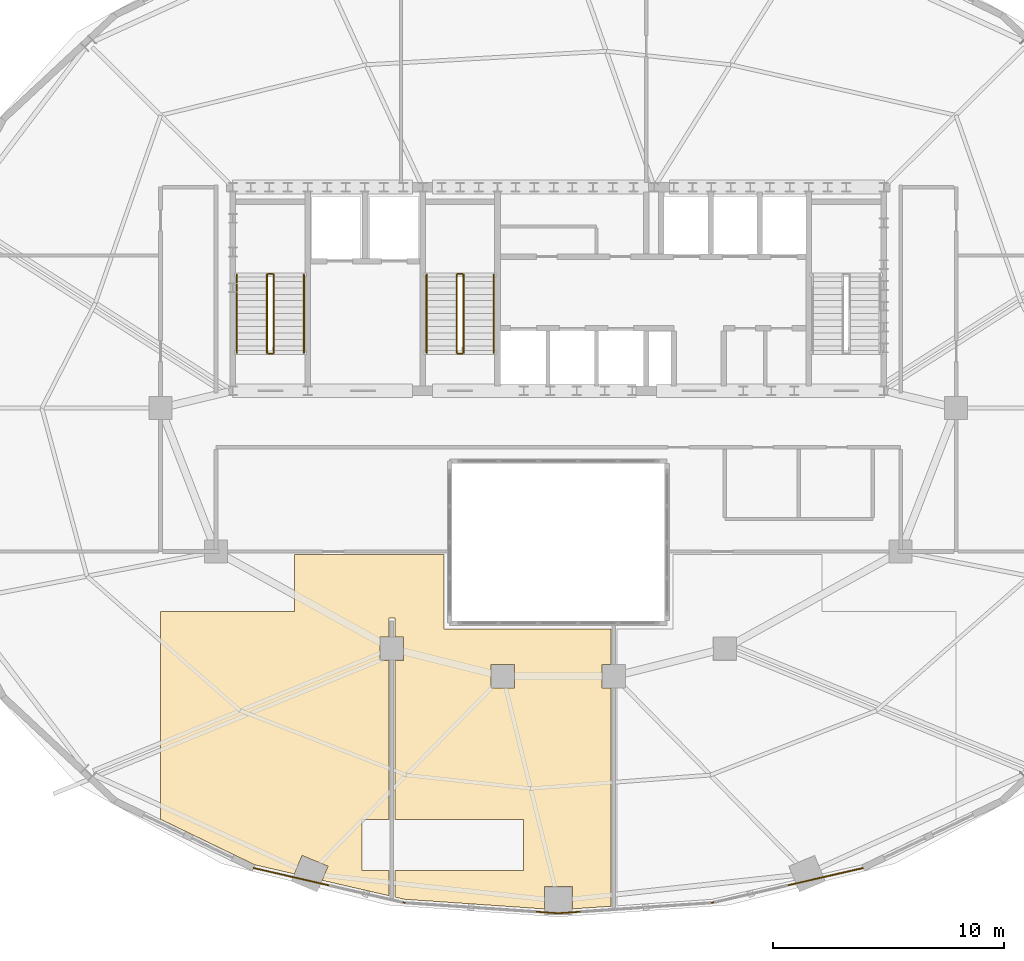
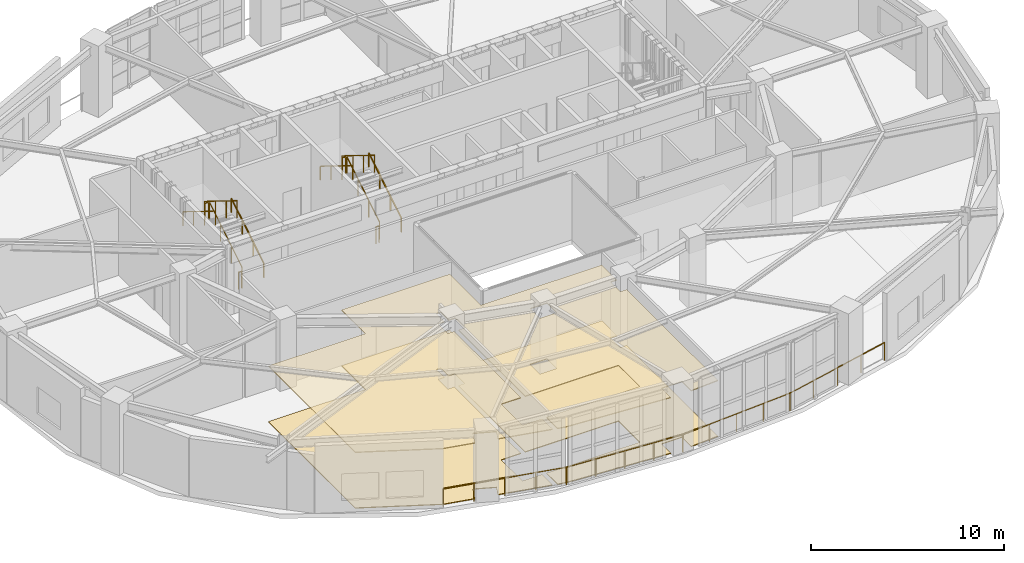
# One storey, part 14 of 16: 16 railings, 2 coverings.
"""IFC4 building model written with IfcOpenShell, lengths in metres."""

from ifc_helpers import new_model, si_unit, direction, frame, origin, origin_2d, place, context, subcontext, project, spatial, polyline, rectangle, outline, extrude, material, layer, layer_set, type_object, element, save


model = new_model("IFC4")

# Units and contexts
model_context = context("Model", 3, precision=1e-05, world=origin(), true_north=direction((0.0, 1.0)))
body_context = subcontext(model_context, "Body", "Model", "MODEL_VIEW")
ifc_project = project(units=[si_unit("LENGTHUNIT", "METRE"), si_unit("AREAUNIT", "SQUARE_METRE"), si_unit("VOLUMEUNIT", "CUBIC_METRE"), si_unit("PLANEANGLEUNIT", "RADIAN"), si_unit("MASSUNIT", "GRAM", prefix="KILO")], contexts=[model_context])

# Site, building, storey
site_placement = place(None, origin())
site = spatial("IfcSite", under=ifc_project, at=site_placement, CompositionType="ELEMENT")
building_placement = place(site_placement, origin())
building = spatial("IfcBuilding", under=site, at=building_placement, Name="Haldorwick Loom Tower", CompositionType="ELEMENT")
storey_placement = place(building_placement, frame((0.0, 0.0, 200.35009765625)))
storey = spatial("IfcBuildingStorey", under=building, at=storey_placement, Name="L54", CompositionType="ELEMENT", Elevation=200.35009765625)

# Coverings
ifc_material_1 = material(Name="Mineral Fibre Acoustic Ceiling Tile")
ifc_layer_1 = layer(ifc_material_1, 0.054931640625, Name="Mineral Fibre Acoustic Ceiling Tile")
ifc_layer_set_1 = layer_set([ifc_layer_1], Name="Mineral Fibre Acoustic Ceiling Tile")
covering_type_1 = type_object("IfcCoveringType", Name="ARC-COV-CEIL2", PredefinedType="CEILING", material=ifc_layer_set_1)
covering_1_placement = place(storey_placement, frame((0.0, 0.0, 3.5087890625)))
element("IfcCovering", 1, at=covering_1_placement, inside=storey, type_object=covering_type_1, Name="L54 Acoustic Suspended Ceiling 1", PredefinedType="CEILING", context=body_context, shape_type="SweptSolid", body=[
    extrude(outline(polyline([(38.27001953125, 4.456298828125), (38.27001953125, 13.89208984375), (37.89208984375, 13.89208984375), (37.89208984375, 14.907958984375), (38.27001953125, 14.907958984375), (38.27001953125, 16.449951171875), (31.050048828125, 16.449951171875), (31.050048828125, 19.669921875), (24.60009765625, 19.669921875), (24.60009765625, 17.199951171875), (18.800048828125, 17.199951171875), (18.800048828125, 8.217041015625), (22.876953125, 6.246826171875), (24.586181640625, 5.853759765625), (24.91748046875, 6.65380859375), (26.041015625, 6.1884765625), (25.787841796875, 5.577392578125), (28.669921875, 4.914306640625), (28.669921875, 6.0), (27.5, 6.0), (27.5, 8.199951171875), (28.669921875, 8.199951171875), (28.669921875, 15.092041015625), (28.2919921875, 15.092041015625), (28.2919921875, 16.10791015625), (28.669921875, 16.10791015625), (28.669921875, 16.909912109375), (28.670166015625, 16.912109375), (28.67041015625, 16.913818359375), (28.6708984375, 16.915771484375), (28.67138671875, 16.917724609375), (28.67236328125, 16.91943359375), (28.67333984375, 16.921142578125), (28.674560546875, 16.922607421875), (28.67578125, 16.924072265625), (28.67724609375, 16.925537109375), (28.678955078125, 16.926513671875), (28.6806640625, 16.927490234375), (28.682373046875, 16.928466796875), (28.68408203125, 16.92919921875), (28.68603515625, 16.9296875), (28.68798828125, 16.929931640625), (28.68994140625, 16.929931640625), (28.909912109375, 16.929931640625), (28.912109375, 16.929931640625), (28.913818359375, 16.9296875), (28.915771484375, 16.92919921875), (28.917724609375, 16.928466796875), (28.91943359375, 16.927490234375), (28.921142578125, 16.926513671875), (28.922607421875, 16.925537109375), (28.924072265625, 16.924072265625), (28.925537109375, 16.922607421875), (28.926513671875, 16.921142578125), (28.927490234375, 16.91943359375), (28.928466796875, 16.917724609375), (28.92919921875, 16.915771484375), (28.9296875, 16.913818359375), (28.929931640625, 16.912109375), (28.929931640625, 16.909912109375), (28.929931640625, 16.10791015625), (29.30810546875, 16.10791015625), (29.30810546875, 15.092041015625), (28.929931640625, 15.092041015625), (28.929931640625, 8.199951171875), (34.5, 8.199951171875), (34.5, 6.0), (28.929931640625, 6.0), (28.929931640625, 4.8544921875), (29.35595703125, 4.756591796875), (35.39208984375, 4.342041015625), (35.39208984375, 5.302978515625), (36.60791015625, 5.302978515625), (36.60791015625, 4.342041015625), (38.27001953125, 4.456298828125)]), holes=[polyline([(34.10791015625, 14.907958984375), (34.10791015625, 13.89208984375), (33.092041015625, 13.89208984375), (33.092041015625, 14.907958984375), (34.10791015625, 14.907958984375)])]), origin(), (0.0, 0.0, 1.0), 0.05517578125),
])
ifc_material_2 = material(Name="Polished Aggregate Terrazzo Finish")
ifc_layer_2 = layer(ifc_material_2, 0.044921875, Name="Polished Aggregate Terrazzo Finish")
ifc_layer_set_2 = layer_set([ifc_layer_2], Name="Polished Aggregate Terrazzo Finish")
covering_type_2 = type_object("IfcCoveringType", Name="ARC-COV-FLOOR2", PredefinedType="FLOORING", material=ifc_layer_set_2)
covering_2_placement = place(storey_placement, origin())
element("IfcCovering", 2, at=covering_2_placement, inside=storey, type_object=covering_type_2, Name="L54 Floor Finish 1", PredefinedType="FLOORING", context=body_context, shape_type="SweptSolid", body=[
    extrude(outline(polyline([(38.27001953125, 4.456298828125), (38.27001953125, 13.89208984375), (37.89208984375, 13.89208984375), (37.89208984375, 14.907958984375), (38.27001953125, 14.907958984375), (38.27001953125, 16.449951171875), (31.050048828125, 16.449951171875), (31.050048828125, 19.669921875), (24.60009765625, 19.669921875), (24.60009765625, 17.199951171875), (18.800048828125, 17.199951171875), (18.800048828125, 8.217041015625), (22.876953125, 6.246826171875), (24.586181640625, 5.853759765625), (24.91748046875, 6.65380859375), (26.041015625, 6.1884765625), (25.787841796875, 5.577392578125), (28.669921875, 4.914306640625), (28.669921875, 6.0), (27.5, 6.0), (27.5, 8.199951171875), (28.669921875, 8.199951171875), (28.669921875, 15.092041015625), (28.2919921875, 15.092041015625), (28.2919921875, 16.10791015625), (28.669921875, 16.10791015625), (28.669921875, 16.909912109375), (28.670166015625, 16.912109375), (28.67041015625, 16.913818359375), (28.6708984375, 16.915771484375), (28.67138671875, 16.917724609375), (28.67236328125, 16.91943359375), (28.67333984375, 16.921142578125), (28.674560546875, 16.922607421875), (28.67578125, 16.924072265625), (28.67724609375, 16.925537109375), (28.678955078125, 16.926513671875), (28.6806640625, 16.927490234375), (28.682373046875, 16.928466796875), (28.68408203125, 16.92919921875), (28.68603515625, 16.9296875), (28.68798828125, 16.929931640625), (28.68994140625, 16.929931640625), (28.909912109375, 16.929931640625), (28.912109375, 16.929931640625), (28.913818359375, 16.9296875), (28.915771484375, 16.92919921875), (28.917724609375, 16.928466796875), (28.91943359375, 16.927490234375), (28.921142578125, 16.926513671875), (28.922607421875, 16.925537109375), (28.924072265625, 16.924072265625), (28.925537109375, 16.922607421875), (28.926513671875, 16.921142578125), (28.927490234375, 16.91943359375), (28.928466796875, 16.917724609375), (28.92919921875, 16.915771484375), (28.9296875, 16.913818359375), (28.929931640625, 16.912109375), (28.929931640625, 16.909912109375), (28.929931640625, 16.10791015625), (29.30810546875, 16.10791015625), (29.30810546875, 15.092041015625), (28.929931640625, 15.092041015625), (28.929931640625, 8.199951171875), (34.5, 8.199951171875), (34.5, 6.0), (28.929931640625, 6.0), (28.929931640625, 4.8544921875), (29.35595703125, 4.756591796875), (35.39208984375, 4.342041015625), (35.39208984375, 5.302978515625), (36.60791015625, 5.302978515625), (36.60791015625, 4.342041015625), (38.27001953125, 4.456298828125)]), holes=[polyline([(34.10791015625, 14.907958984375), (34.10791015625, 13.89208984375), (33.092041015625, 13.89208984375), (33.092041015625, 14.907958984375), (34.10791015625, 14.907958984375)])]), origin(), (0.0, 0.0, 1.0), 0.044921875),
])

# Railings
ifc_material_3 = material(Name="Galvanized Steel CSA G40.21 350W", Category="steel")
railing_type_1 = type_object("IfcRailingType", Name="ARC-RLG-BAL115", PredefinedType="BALUSTRADE", material=ifc_material_3)
railing_1_placement = place(storey_placement, frame((22.82861328125, 6.109130859375, 0.0)))
element("IfcRailing", 3, at=railing_1_placement, inside=storey, type_object=railing_type_1, Name="L54 Curtain-Wall Sill Safety Guardrail 17", PredefinedType="BALUSTRADE", context=body_context, shape_type="SweptSolid", body=[
    extrude(rectangle(XDim=0.048095703125, YDim=0.048095703125, at=origin_2d()), frame((0.0, 0.0, 1.1259765625), z_axis=(0.974557343474, -0.224138315065, 0.0), x_axis=(0.224138315065, 0.974557343474, 0.0)), (0.0, 0.0, 1.0), 6.676025390625),
    extrude(rectangle(XDim=0.0419921875, YDim=0.0419921875, at=origin_2d()), origin(), (0.0, 0.0, 1.0), 1.101806640625),
    extrude(rectangle(XDim=0.0419921875, YDim=0.0419921875, at=origin_2d()), frame((1.62646484375, -0.3740234375, 0.0)), (0.0, 0.0, 1.0), 1.101806640625),
    extrude(rectangle(XDim=0.0419921875, YDim=0.0419921875, at=origin_2d()), frame((3.2529296875, -0.748046875, 0.0)), (0.0, 0.0, 1.0), 1.101806640625),
    extrude(rectangle(XDim=0.0419921875, YDim=0.0419921875, at=origin_2d()), frame((4.879638671875, -1.122314453125, 0.0)), (0.0, 0.0, 1.0), 1.101806640625),
    extrude(rectangle(XDim=0.0419921875, YDim=0.0419921875, at=origin_2d()), frame((6.506103515625, -1.496337890625, 0.0)), (0.0, 0.0, 1.0), 1.101806640625),
])
railing_2_placement = place(storey_placement, frame((29.334716796875, 4.61279296875, 0.0)))
element("IfcRailing", 4, at=railing_2_placement, inside=storey, type_object=railing_type_1, Name="L54 Curtain-Wall Sill Safety Guardrail 18", PredefinedType="BALUSTRADE", context=body_context, shape_type="SweptSolid", body=[
    extrude(rectangle(XDim=0.048095703125, YDim=0.048095703125, at=origin_2d()), frame((0.0, 0.0, 1.1259765625), z_axis=(0.99764992135, -0.068517402386, 0.0), x_axis=(0.068517402386, 0.99764992135, 0.0)), (0.0, 0.0, 1.0), 6.680908203125),
    extrude(rectangle(XDim=0.0419921875, YDim=0.0419921875, at=origin_2d()), origin(), (0.0, 0.0, 1.0), 1.101806640625),
    extrude(rectangle(XDim=0.0419921875, YDim=0.0419921875, at=origin_2d()), frame((1.666259765625, -0.114501953125, 0.0)), (0.0, 0.0, 1.0), 1.101806640625),
    extrude(rectangle(XDim=0.0419921875, YDim=0.0419921875, at=origin_2d()), frame((3.33251953125, -0.22900390625, 0.0)), (0.0, 0.0, 1.0), 1.101806640625),
    extrude(rectangle(XDim=0.0419921875, YDim=0.0419921875, at=origin_2d()), frame((4.9990234375, -0.34326171875, 0.0)), (0.0, 0.0, 1.0), 1.101806640625),
    extrude(rectangle(XDim=0.0419921875, YDim=0.0419921875, at=origin_2d()), frame((6.665283203125, -0.457763671875, 0.0)), (0.0, 0.0, 1.0), 1.101806640625),
])
railing_3_placement = place(storey_placement, frame((36.0, 4.155029296875, 0.0)))
element("IfcRailing", 5, at=railing_3_placement, inside=storey, type_object=railing_type_1, Name="L54 Curtain-Wall Sill Safety Guardrail 19", PredefinedType="BALUSTRADE", context=body_context, shape_type="SweptSolid", body=[
    extrude(rectangle(XDim=0.048095703125, YDim=0.048095703125, at=origin_2d()), frame((0.0, 0.0, 1.1259765625), z_axis=(0.99764992135, 0.068517402386, 0.0), x_axis=(-0.068517402386, 0.99764992135, 0.0)), (0.0, 0.0, 1.0), 6.680908203125),
    extrude(rectangle(XDim=0.0419921875, YDim=0.0419921875, at=origin_2d()), origin(), (0.0, 0.0, 1.0), 1.101806640625),
    extrude(rectangle(XDim=0.0419921875, YDim=0.0419921875, at=origin_2d()), frame((1.666259765625, 0.114501953125, 0.0)), (0.0, 0.0, 1.0), 1.101806640625),
    extrude(rectangle(XDim=0.0419921875, YDim=0.0419921875, at=origin_2d()), frame((3.33251953125, 0.22900390625, 0.0)), (0.0, 0.0, 1.0), 1.101806640625),
    extrude(rectangle(XDim=0.0419921875, YDim=0.0419921875, at=origin_2d()), frame((4.9990234375, 0.34326171875, 0.0)), (0.0, 0.0, 1.0), 1.101806640625),
    extrude(rectangle(XDim=0.0419921875, YDim=0.0419921875, at=origin_2d()), frame((6.665283203125, 0.457763671875, 0.0)), (0.0, 0.0, 1.0), 1.101806640625),
])
railing_4_placement = place(storey_placement, frame((42.665283203125, 4.61279296875, 0.0)))
element("IfcRailing", 6, at=railing_4_placement, inside=storey, type_object=railing_type_1, Name="L54 Curtain-Wall Sill Safety Guardrail 20", PredefinedType="BALUSTRADE", context=body_context, shape_type="SweptSolid", body=[
    extrude(rectangle(XDim=0.048095703125, YDim=0.048095703125, at=origin_2d()), frame((0.0, 0.0, 1.1259765625), z_axis=(0.974557343474, 0.224138315065, 0.0), x_axis=(-0.224138315065, 0.974557343474, 0.0)), (0.0, 0.0, 1.0), 6.676025390625),
    extrude(rectangle(XDim=0.0419921875, YDim=0.0419921875, at=origin_2d()), origin(), (0.0, 0.0, 1.0), 1.101806640625),
    extrude(rectangle(XDim=0.0419921875, YDim=0.0419921875, at=origin_2d()), frame((1.62646484375, 0.3740234375, 0.0)), (0.0, 0.0, 1.0), 1.101806640625),
    extrude(rectangle(XDim=0.0419921875, YDim=0.0419921875, at=origin_2d()), frame((3.2529296875, 0.748046875, 0.0)), (0.0, 0.0, 1.0), 1.101806640625),
    extrude(rectangle(XDim=0.0419921875, YDim=0.0419921875, at=origin_2d()), frame((4.879638671875, 1.122314453125, 0.0)), (0.0, 0.0, 1.0), 1.101806640625),
    extrude(rectangle(XDim=0.0419921875, YDim=0.0419921875, at=origin_2d()), frame((6.506103515625, 1.496337890625, 0.0)), (0.0, 0.0, 1.0), 1.101806640625),
])
ifc_material_4 = material(Name="Steel CSA G40.21 350W", Category="steel")
railing_type_2 = type_object("IfcRailingType", Name="ARC-RLG-GUARD112", PredefinedType="GUARDRAIL", material=ifc_material_4)
railing_5_placement = place(storey_placement, frame((23.699951171875, 28.39990234375, 0.173095703125)))
element("IfcRailing", 7, at=railing_5_placement, inside=storey, type_object=railing_type_2, Name="L54 ST-01 stair guard 1", PredefinedType="GUARDRAIL", context=body_context, shape_type="SweptSolid", body=[
    extrude(rectangle(XDim=0.048095703125, YDim=0.048095703125, at=origin_2d()), frame((0.0, 0.0, 1.076171875), z_axis=(0.0, 0.850623216509, 0.525775754039), x_axis=(-1.0, 0.0, 0.0)), (0.0, 0.0, 1.0), 3.9501953125),
    extrude(rectangle(XDim=0.0419921875, YDim=0.0419921875, at=origin_2d()), origin(), (0.0, 0.0, 1.0), 1.052001953125),
    extrude(rectangle(XDim=0.0419921875, YDim=0.0419921875, at=origin_2d()), frame((0.0, 1.1201171875, 0.6923828125)), (0.0, 0.0, 1.0), 1.052001953125),
    extrude(rectangle(XDim=0.0419921875, YDim=0.0419921875, at=origin_2d()), frame((0.0, 2.239990234375, 1.384521484375)), (0.0, 0.0, 1.0), 1.052001953125),
    extrude(rectangle(XDim=0.0419921875, YDim=0.0419921875, at=origin_2d()), frame((0.0, 3.360107421875, 2.076904296875)), (0.0, 0.0, 1.0), 1.052001953125),
])
railing_6_placement = place(storey_placement, frame((23.64990234375, 31.81005859375, 2.25)))
element("IfcRailing", 8, at=railing_6_placement, inside=storey, type_object=railing_type_2, Name="L54 ST-01 stair guard 2", PredefinedType="GUARDRAIL", context=body_context, shape_type="SweptSolid", body=[
    extrude(rectangle(XDim=0.048095703125, YDim=0.048095703125, at=origin_2d()), frame((0.0, 0.0, 1.076171875), z_axis=(-1.0, 0.0, 0.0), x_axis=(0.0, -1.0, 0.0)), (0.0, 0.0, 1.0), 0.199951171875),
    extrude(rectangle(XDim=0.0419921875, YDim=0.0419921875, at=origin_2d()), origin(), (0.0, 0.0, 1.0), 1.052001953125),
    extrude(rectangle(XDim=0.0419921875, YDim=0.0419921875, at=origin_2d()), frame((-0.199951171875, 0.0, 0.0)), (0.0, 0.0, 1.0), 1.052001953125),
])
railing_7_placement = place(storey_placement, frame((23.39990234375, 31.760009765625, 2.423095703125)))
element("IfcRailing", 9, at=railing_7_placement, inside=storey, type_object=railing_type_2, Name="L54 ST-01 stair guard 3", PredefinedType="GUARDRAIL", context=body_context, shape_type="SweptSolid", body=[
    extrude(rectangle(XDim=0.048095703125, YDim=0.048095703125, at=origin_2d()), frame((0.0, 0.0, 1.076171875), z_axis=(0.0, -0.850623216509, 0.525775754039), x_axis=(1.0, 0.0, 0.0)), (0.0, 0.0, 1.0), 3.9501953125),
    extrude(rectangle(XDim=0.0419921875, YDim=0.0419921875, at=origin_2d()), origin(), (0.0, 0.0, 1.0), 1.052001953125),
    extrude(rectangle(XDim=0.0419921875, YDim=0.0419921875, at=origin_2d()), frame((0.0, -1.1201171875, 0.6923828125)), (0.0, 0.0, 1.0), 1.052001953125),
    extrude(rectangle(XDim=0.0419921875, YDim=0.0419921875, at=origin_2d()), frame((0.0, -2.239990234375, 1.384521484375)), (0.0, 0.0, 1.0), 1.052001953125),
    extrude(rectangle(XDim=0.0419921875, YDim=0.0419921875, at=origin_2d()), frame((0.0, -3.360107421875, 2.076904296875)), (0.0, 0.0, 1.0), 1.052001953125),
])
railing_8_placement = place(storey_placement, frame((23.64990234375, 28.35009765625, 0.0)))
element("IfcRailing", 10, at=railing_8_placement, inside=storey, type_object=railing_type_2, Name="L54 ST-01 stair guard 4", PredefinedType="GUARDRAIL", context=body_context, shape_type="SweptSolid", body=[
    extrude(rectangle(XDim=0.048095703125, YDim=0.048095703125, at=origin_2d()), frame((0.0, 0.0, 1.076171875), z_axis=(-1.0, 0.0, 0.0), x_axis=(0.0, -1.0, 0.0)), (0.0, 0.0, 1.0), 0.199951171875),
    extrude(rectangle(XDim=0.0419921875, YDim=0.0419921875, at=origin_2d()), origin(), (0.0, 0.0, 1.0), 1.052001953125),
    extrude(rectangle(XDim=0.0419921875, YDim=0.0419921875, at=origin_2d()), frame((-0.199951171875, 0.0, 0.0)), (0.0, 0.0, 1.0), 1.052001953125),
])
railing_9_placement = place(storey_placement, frame((31.89990234375, 28.39990234375, 0.173095703125)))
element("IfcRailing", 11, at=railing_9_placement, inside=storey, type_object=railing_type_2, Name="L54 ST-03 stair guard 1", PredefinedType="GUARDRAIL", context=body_context, shape_type="SweptSolid", body=[
    extrude(rectangle(XDim=0.048095703125, YDim=0.048095703125, at=origin_2d()), frame((0.0, 0.0, 1.076171875), z_axis=(0.0, 0.850623216509, 0.525775754039), x_axis=(-1.0, 0.0, 0.0)), (0.0, 0.0, 1.0), 3.9501953125),
    extrude(rectangle(XDim=0.0419921875, YDim=0.0419921875, at=origin_2d()), origin(), (0.0, 0.0, 1.0), 1.052001953125),
    extrude(rectangle(XDim=0.0419921875, YDim=0.0419921875, at=origin_2d()), frame((0.0, 1.1201171875, 0.6923828125)), (0.0, 0.0, 1.0), 1.052001953125),
    extrude(rectangle(XDim=0.0419921875, YDim=0.0419921875, at=origin_2d()), frame((0.0, 2.239990234375, 1.384521484375)), (0.0, 0.0, 1.0), 1.052001953125),
    extrude(rectangle(XDim=0.0419921875, YDim=0.0419921875, at=origin_2d()), frame((0.0, 3.360107421875, 2.076904296875)), (0.0, 0.0, 1.0), 1.052001953125),
])
railing_10_placement = place(storey_placement, frame((31.85009765625, 31.81005859375, 2.25)))
element("IfcRailing", 12, at=railing_10_placement, inside=storey, type_object=railing_type_2, Name="L54 ST-03 stair guard 2", PredefinedType="GUARDRAIL", context=body_context, shape_type="SweptSolid", body=[
    extrude(rectangle(XDim=0.048095703125, YDim=0.048095703125, at=origin_2d()), frame((0.0, 0.0, 1.076171875), z_axis=(-1.0, 0.0, 0.0), x_axis=(0.0, -1.0, 0.0)), (0.0, 0.0, 1.0), 0.2001953125),
    extrude(rectangle(XDim=0.0419921875, YDim=0.0419921875, at=origin_2d()), origin(), (0.0, 0.0, 1.0), 1.052001953125),
    extrude(rectangle(XDim=0.0419921875, YDim=0.0419921875, at=origin_2d()), frame((-0.2001953125, 0.0, 0.0)), (0.0, 0.0, 1.0), 1.052001953125),
])
railing_11_placement = place(storey_placement, frame((31.60009765625, 31.760009765625, 2.423095703125)))
element("IfcRailing", 13, at=railing_11_placement, inside=storey, type_object=railing_type_2, Name="L54 ST-03 stair guard 3", PredefinedType="GUARDRAIL", context=body_context, shape_type="SweptSolid", body=[
    extrude(rectangle(XDim=0.048095703125, YDim=0.048095703125, at=origin_2d()), frame((0.0, 0.0, 1.076171875), z_axis=(0.0, -0.850623216509, 0.525775754039), x_axis=(1.0, 0.0, 0.0)), (0.0, 0.0, 1.0), 3.9501953125),
    extrude(rectangle(XDim=0.0419921875, YDim=0.0419921875, at=origin_2d()), origin(), (0.0, 0.0, 1.0), 1.052001953125),
    extrude(rectangle(XDim=0.0419921875, YDim=0.0419921875, at=origin_2d()), frame((0.0, -1.1201171875, 0.6923828125)), (0.0, 0.0, 1.0), 1.052001953125),
    extrude(rectangle(XDim=0.0419921875, YDim=0.0419921875, at=origin_2d()), frame((0.0, -2.239990234375, 1.384521484375)), (0.0, 0.0, 1.0), 1.052001953125),
    extrude(rectangle(XDim=0.0419921875, YDim=0.0419921875, at=origin_2d()), frame((0.0, -3.360107421875, 2.076904296875)), (0.0, 0.0, 1.0), 1.052001953125),
])
railing_12_placement = place(storey_placement, frame((31.85009765625, 28.35009765625, 0.0)))
element("IfcRailing", 14, at=railing_12_placement, inside=storey, type_object=railing_type_2, Name="L54 ST-03 stair guard 4", PredefinedType="GUARDRAIL", context=body_context, shape_type="SweptSolid", body=[
    extrude(rectangle(XDim=0.048095703125, YDim=0.048095703125, at=origin_2d()), frame((0.0, 0.0, 1.076171875), z_axis=(-1.0, 0.0, 0.0), x_axis=(0.0, -1.0, 0.0)), (0.0, 0.0, 1.0), 0.2001953125),
    extrude(rectangle(XDim=0.0419921875, YDim=0.0419921875, at=origin_2d()), origin(), (0.0, 0.0, 1.0), 1.052001953125),
    extrude(rectangle(XDim=0.0419921875, YDim=0.0419921875, at=origin_2d()), frame((-0.2001953125, 0.0, 0.0)), (0.0, 0.0, 1.0), 1.052001953125),
])
railing_type_3 = type_object("IfcRailingType", Name="ARC-RLG-HAND092", PredefinedType="HANDRAIL", material=ifc_material_4)
railing_13_placement = place(storey_placement, frame((25.0, 28.39990234375, 0.173095703125)))
element("IfcRailing", 15, at=railing_13_placement, inside=storey, type_object=railing_type_3, Name="L54 ST-01 stair handrail 1", PredefinedType="HANDRAIL", context=body_context, shape_type="SweptSolid", body=[
    extrude(rectangle(XDim=0.048095703125, YDim=0.048095703125, at=origin_2d()), frame((0.0, 0.0, 0.8759765625), z_axis=(0.0, 0.850623216509, 0.525775754039), x_axis=(-1.0, 0.0, 0.0)), (0.0, 0.0, 1.0), 3.9501953125),
    extrude(rectangle(XDim=0.0419921875, YDim=0.0419921875, at=origin_2d()), origin(), (0.0, 0.0, 1.0), 0.851806640625),
    extrude(rectangle(XDim=0.0419921875, YDim=0.0419921875, at=origin_2d()), frame((0.0, 1.1201171875, 0.6923828125)), (0.0, 0.0, 1.0), 0.851806640625),
    extrude(rectangle(XDim=0.0419921875, YDim=0.0419921875, at=origin_2d()), frame((0.0, 2.239990234375, 1.384521484375)), (0.0, 0.0, 1.0), 0.851806640625),
    extrude(rectangle(XDim=0.0419921875, YDim=0.0419921875, at=origin_2d()), frame((0.0, 3.360107421875, 2.076904296875)), (0.0, 0.0, 1.0), 0.851806640625),
])
railing_14_placement = place(storey_placement, frame((22.10009765625, 31.760009765625, 2.423095703125)))
element("IfcRailing", 16, at=railing_14_placement, inside=storey, type_object=railing_type_3, Name="L54 ST-01 stair handrail 2", PredefinedType="HANDRAIL", context=body_context, shape_type="SweptSolid", body=[
    extrude(rectangle(XDim=0.048095703125, YDim=0.048095703125, at=origin_2d()), frame((0.0, 0.0, 0.8759765625), z_axis=(0.0, -0.850623216509, 0.525775754039), x_axis=(1.0, 0.0, 0.0)), (0.0, 0.0, 1.0), 3.9501953125),
    extrude(rectangle(XDim=0.0419921875, YDim=0.0419921875, at=origin_2d()), origin(), (0.0, 0.0, 1.0), 0.851806640625),
    extrude(rectangle(XDim=0.0419921875, YDim=0.0419921875, at=origin_2d()), frame((0.0, -1.1201171875, 0.6923828125)), (0.0, 0.0, 1.0), 0.851806640625),
    extrude(rectangle(XDim=0.0419921875, YDim=0.0419921875, at=origin_2d()), frame((0.0, -2.239990234375, 1.384521484375)), (0.0, 0.0, 1.0), 0.851806640625),
    extrude(rectangle(XDim=0.0419921875, YDim=0.0419921875, at=origin_2d()), frame((0.0, -3.360107421875, 2.076904296875)), (0.0, 0.0, 1.0), 0.851806640625),
])
railing_15_placement = place(storey_placement, frame((33.199951171875, 28.39990234375, 0.173095703125)))
element("IfcRailing", 17, at=railing_15_placement, inside=storey, type_object=railing_type_3, Name="L54 ST-03 stair handrail 1", PredefinedType="HANDRAIL", context=body_context, shape_type="SweptSolid", body=[
    extrude(rectangle(XDim=0.048095703125, YDim=0.048095703125, at=origin_2d()), frame((0.0, 0.0, 0.8759765625), z_axis=(0.0, 0.850623216509, 0.525775754039), x_axis=(-1.0, 0.0, 0.0)), (0.0, 0.0, 1.0), 3.9501953125),
    extrude(rectangle(XDim=0.0419921875, YDim=0.0419921875, at=origin_2d()), origin(), (0.0, 0.0, 1.0), 0.851806640625),
    extrude(rectangle(XDim=0.0419921875, YDim=0.0419921875, at=origin_2d()), frame((0.0, 1.1201171875, 0.6923828125)), (0.0, 0.0, 1.0), 0.851806640625),
    extrude(rectangle(XDim=0.0419921875, YDim=0.0419921875, at=origin_2d()), frame((0.0, 2.239990234375, 1.384521484375)), (0.0, 0.0, 1.0), 0.851806640625),
    extrude(rectangle(XDim=0.0419921875, YDim=0.0419921875, at=origin_2d()), frame((0.0, 3.360107421875, 2.076904296875)), (0.0, 0.0, 1.0), 0.851806640625),
])
railing_16_placement = place(storey_placement, frame((30.300048828125, 31.760009765625, 2.423095703125)))
element("IfcRailing", 18, at=railing_16_placement, inside=storey, type_object=railing_type_3, Name="L54 ST-03 stair handrail 2", PredefinedType="HANDRAIL", context=body_context, shape_type="SweptSolid", body=[
    extrude(rectangle(XDim=0.048095703125, YDim=0.048095703125, at=origin_2d()), frame((0.0, 0.0, 0.8759765625), z_axis=(0.0, -0.850623216509, 0.525775754039), x_axis=(1.0, 0.0, 0.0)), (0.0, 0.0, 1.0), 3.9501953125),
    extrude(rectangle(XDim=0.0419921875, YDim=0.0419921875, at=origin_2d()), origin(), (0.0, 0.0, 1.0), 0.851806640625),
    extrude(rectangle(XDim=0.0419921875, YDim=0.0419921875, at=origin_2d()), frame((0.0, -1.1201171875, 0.6923828125)), (0.0, 0.0, 1.0), 0.851806640625),
    extrude(rectangle(XDim=0.0419921875, YDim=0.0419921875, at=origin_2d()), frame((0.0, -2.239990234375, 1.384521484375)), (0.0, 0.0, 1.0), 0.851806640625),
    extrude(rectangle(XDim=0.0419921875, YDim=0.0419921875, at=origin_2d()), frame((0.0, -3.360107421875, 2.076904296875)), (0.0, 0.0, 1.0), 0.851806640625),
])

save(model, "model.ifc")
